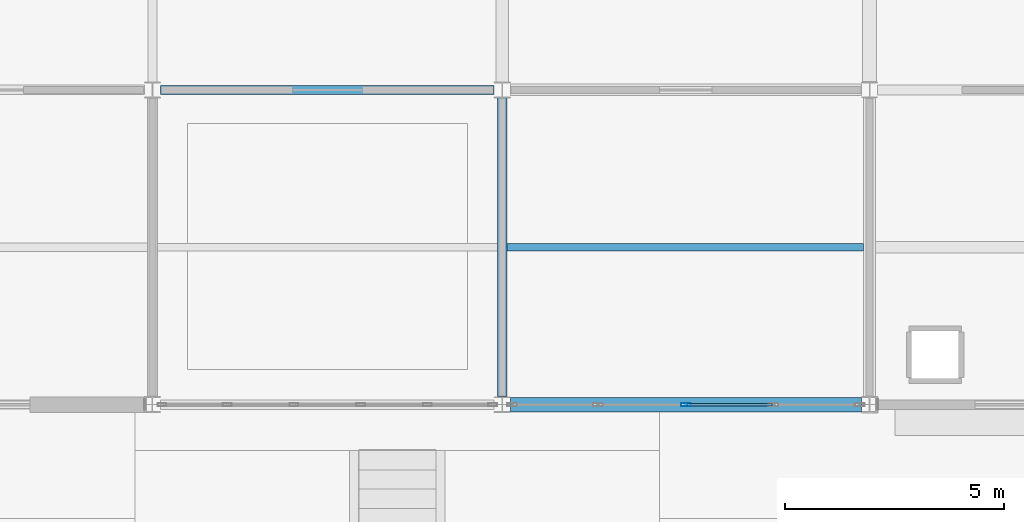
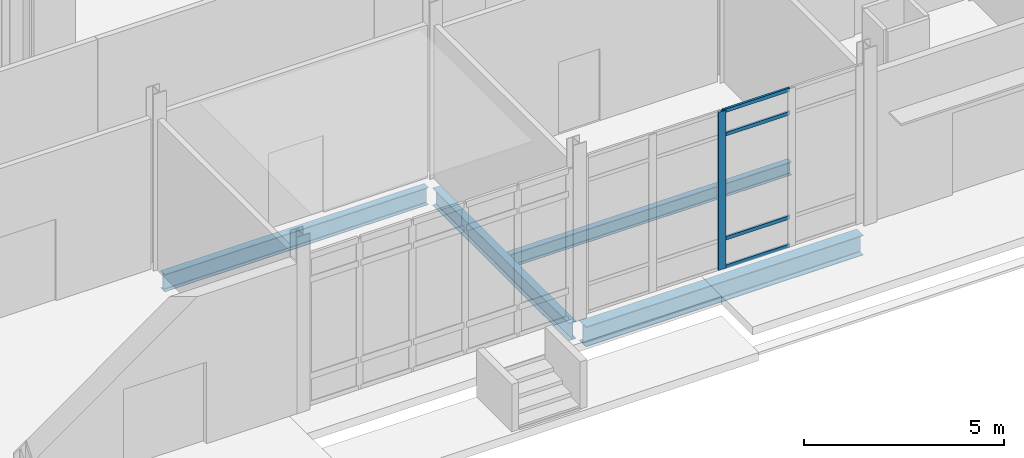
# One storey, part 46 of 229: 5 members, 4 beams, 1 element without a shape of its own.
"""IFC4 building model written with IfcOpenShell, lengths in metres."""

from ifc_helpers import new_model, si_unit, direction, frame, origin, origin_2d, place, context, subcontext, project, spatial, hollow_rectangle, i_section, extrude, material, layer, layer_set, material_profile, profile_set, type_object, element, aggregate, save


model = new_model("IFC4")

# Units and contexts
model_context = context("Model", 3, precision=1e-05, world=origin(), true_north=direction((0.0, 1.0)))
body_context = subcontext(model_context, "Body", "Model", "MODEL_VIEW")
ifc_project = project(units=[si_unit("LENGTHUNIT", "METRE"), si_unit("AREAUNIT", "SQUARE_METRE"), si_unit("VOLUMEUNIT", "CUBIC_METRE"), si_unit("PLANEANGLEUNIT", "RADIAN"), si_unit("MASSUNIT", "GRAM", prefix="KILO")], contexts=[model_context])

# Site, building, storey
site_placement = place(None, origin())
site = spatial("IfcSite", under=ifc_project, at=site_placement, CompositionType="ELEMENT")
building_placement = place(site_placement, origin())
building = spatial("IfcBuilding", under=site, at=building_placement, Name="Calvrana Isthmian Art Gallery", CompositionType="ELEMENT")
storey_placement = place(building_placement, origin())
storey = spatial("IfcBuildingStorey", under=building, at=storey_placement, Name="L00", CompositionType="ELEMENT", Elevation=0.0)

# Beams
ifc_material_1 = material(Name="Steel ASTM A992 Gr 50", Category="steel")
ifc_material_profile_1 = material_profile(ifc_material_1, i_section(OverallWidth=0.208984375, OverallDepth=0.532958984375, WebThickness=0.01025390625, FlangeThickness=0.015625, FilletRadius=0.02099609375, at=origin_2d()), Name="W21X62")
ifc_profile_set_1 = profile_set([ifc_material_profile_1], Name="Steel ASTM A992 Gr 50")
beam_type_1 = type_object("IfcBeamType", Name="BM-G-W21X62", PredefinedType="BEAM", material=ifc_profile_set_1)
beam_1_placement = place(storey_placement, frame((96.58544921875, 7.199951171875, -0.551513671875), z_axis=(1.0, 0.0, 0.0), x_axis=(0.0, 1.0, 0.0)))
element("IfcBeam", 1, at=beam_1_placement, inside=storey, type_object=beam_type_1, Name="Girder X L00 13-14/B", PredefinedType="BEAM", context=body_context, shape_type="SweptSolid", body=[
    extrude(i_section(OverallWidth=0.208984375, OverallDepth=0.532958984375, WebThickness=0.01025390625, FlangeThickness=0.015625, FilletRadius=0.02099609375, at=origin_2d()), origin(), (0.0, 0.0, 1.0), 7.630615234375),
])
beam_2_placement = place(storey_placement, frame((104.39990234375, 0.1865234375, -0.551513671875), z_axis=(0.0, 1.0, 0.0), x_axis=(-1.0, 0.0, 0.0)))
element("IfcBeam", 2, at=beam_2_placement, inside=storey, type_object=beam_type_1, Name="Girder Y L00 14/A-B", PredefinedType="BEAM", context=body_context, shape_type="SweptSolid", body=[
    extrude(i_section(OverallWidth=0.208984375, OverallDepth=0.532958984375, WebThickness=0.01025390625, FlangeThickness=0.015625, FilletRadius=0.02099609375, at=origin_2d()), origin(), (0.0, 0.0, 1.0), 6.83544921875),
])
ifc_material_profile_2 = material_profile(ifc_material_1, i_section(OverallWidth=0.324951171875, OverallDepth=0.612060546875, WebThickness=0.0126953125, FlangeThickness=0.01904296875, FilletRadius=0.02197265625, at=origin_2d()), Name="W24X104")
ifc_profile_set_2 = profile_set([ifc_material_profile_2], Name="Steel ASTM A992 Gr 50")
beam_type_2 = type_object("IfcBeamType", Name="BM-G-W24X104", PredefinedType="BEAM", material=ifc_profile_set_2)
beam_3_placement = place(storey_placement, frame((104.58642578125, 0.0, -0.591064453125), z_axis=(1.0, 0.0, 0.0), x_axis=(0.0, 1.0, 0.0)))
element("IfcBeam", 3, at=beam_3_placement, inside=storey, type_object=beam_type_2, Name="Girder X L00 14-15/A", PredefinedType="BEAM", context=body_context, shape_type="SweptSolid", body=[
    extrude(i_section(OverallWidth=0.324951171875, OverallDepth=0.612060546875, WebThickness=0.0126953125, FlangeThickness=0.01904296875, FilletRadius=0.02197265625, at=origin_2d()), origin(), (0.0, 0.0, 1.0), 8.027099609375),
])
ifc_material_profile_3 = material_profile(ifc_material_1, i_section(OverallWidth=0.177978515625, OverallDepth=0.404052734375, WebThickness=0.007568359375, FlangeThickness=0.010986328125, FilletRadius=0.01806640625, at=origin_2d()), Name="W16X36")
ifc_profile_set_3 = profile_set([ifc_material_profile_3], Name="Steel ASTM A992 Gr 50")
beam_type_3 = type_object("IfcBeamType", Name="BM-J-W16X36", PredefinedType="JOIST", material=ifc_profile_set_3)
beam_4_placement = place(storey_placement, frame((104.50439453125, 3.60009765625, -0.487060546875), z_axis=(1.0, 0.0, 0.0), x_axis=(0.0, 1.0, 0.0)))
element("IfcBeam", 4, at=beam_4_placement, inside=storey, type_object=beam_type_3, Name="Composite joist L00 bay 13-00", PredefinedType="JOIST", context=body_context, shape_type="SweptSolid", body=[
    extrude(i_section(OverallWidth=0.177978515625, OverallDepth=0.404052734375, WebThickness=0.007568359375, FlangeThickness=0.010986328125, FilletRadius=0.01806640625, at=origin_2d()), origin(), (0.0, 0.0, 1.0), 8.156005859375),
])

# Curtain wall, members
ifc_material_2 = material(Name="Anodized bronze aluminium 6063-T6", Category="aluminium")
ifc_layer = layer(ifc_material_2, 0.179931640625, Name="Anodized bronze aluminium 6063-T6")
ifc_layer_set = layer_set([ifc_layer], Name="Anodized bronze aluminium 6063-T6")
curtain_wall_type = type_object("IfcCurtainWallType", Name="CW-UNIT-080X48", PredefinedType="USERDEFINED", material=ifc_layer_set)
curtain_wall_placement = place(storey_placement, origin())
curtain_wall = element("IfcCurtainWall", 5, at=curtain_wall_placement, inside=storey, type_object=curtain_wall_type, Name="Curtain wall CW-010", ObjectType="UNITISED CURTAIN WALL", PredefinedType="USERDEFINED")
ifc_material_profile_4 = material_profile(ifc_material_2, hollow_rectangle(XDim=0.074951171875, YDim=0.219970703125, WallThickness=0.0048828125, at=origin_2d()), Name="CWM75X220")
ifc_profile_set_4 = profile_set([ifc_material_profile_4], Name="Anodized bronze aluminium 6063-T6")
member_type_1 = type_object("IfcMemberType", Name="CWM-CWM75X220", PredefinedType="MULLION", material=ifc_profile_set_4)
member_1_placement = place(storey_placement, frame((108.5986328125, 0.0, 0.0), z_axis=(0.0, 0.0, 1.0), x_axis=(0.0, -1.0, 0.0)))
member_1 = element("IfcMember", 6, at=member_1_placement, type_object=member_type_1, Name="CW-010 mullion 3", PredefinedType="MULLION", context=body_context, shape_type="SweptSolid", body=[
    extrude(hollow_rectangle(XDim=0.074951171875, YDim=0.219970703125, WallThickness=0.0048828125, at=origin_2d()), origin(), (0.0, 0.0, 1.0), 4.835205078125),
])
ifc_material_profile_5 = material_profile(ifc_material_2, hollow_rectangle(XDim=0.06005859375, YDim=0.110107421875, WallThickness=0.00341796875, at=origin_2d()), Name="CWT60X110")
ifc_profile_set_5 = profile_set([ifc_material_profile_5], Name="Anodized bronze aluminium 6063-T6")
member_type_2 = type_object("IfcMemberType", Name="CWT-CWT60X110", PredefinedType="USERDEFINED", material=ifc_profile_set_5)
member_2_placement = place(storey_placement, frame((110.568603515625, 0.0, 0.030029296875), z_axis=(-1.0, 0.0, 0.0), x_axis=(0.0, -1.0, 0.0)))
member_2 = element("IfcMember", 7, at=member_2_placement, type_object=member_type_2, Name="CW-010 transom 2.1", ObjectType="TRANSOM", PredefinedType="USERDEFINED", context=body_context, shape_type="SweptSolid", body=[
    extrude(hollow_rectangle(XDim=0.06005859375, YDim=0.110107421875, WallThickness=0.00341796875, at=origin_2d()), origin(), (0.0, 0.0, 1.0), 1.932373046875),
])
member_3_placement = place(storey_placement, frame((110.568603515625, 0.0, 0.89990234375), z_axis=(-1.0, 0.0, 0.0), x_axis=(0.0, -1.0, 0.0)))
member_3 = element("IfcMember", 8, at=member_3_placement, type_object=member_type_2, Name="CW-010 transom 2.2", ObjectType="TRANSOM", PredefinedType="USERDEFINED", context=body_context, shape_type="SweptSolid", body=[
    extrude(hollow_rectangle(XDim=0.06005859375, YDim=0.110107421875, WallThickness=0.00341796875, at=origin_2d()), origin(), (0.0, 0.0, 1.0), 1.932373046875),
])
member_4_placement = place(storey_placement, frame((110.568603515625, 0.0, 4.085205078125), z_axis=(-1.0, 0.0, 0.0), x_axis=(0.0, -1.0, 0.0)))
member_4 = element("IfcMember", 9, at=member_4_placement, type_object=member_type_2, Name="CW-010 transom 2.3", ObjectType="TRANSOM", PredefinedType="USERDEFINED", context=body_context, shape_type="SweptSolid", body=[
    extrude(hollow_rectangle(XDim=0.06005859375, YDim=0.110107421875, WallThickness=0.00341796875, at=origin_2d()), origin(), (0.0, 0.0, 1.0), 1.932373046875),
])
member_5_placement = place(storey_placement, frame((110.568603515625, 0.0, 4.80517578125), z_axis=(-1.0, 0.0, 0.0), x_axis=(0.0, -1.0, 0.0)))
member_5 = element("IfcMember", 10, at=member_5_placement, type_object=member_type_2, Name="CW-010 transom 2.4", ObjectType="TRANSOM", PredefinedType="USERDEFINED", context=body_context, shape_type="SweptSolid", body=[
    extrude(hollow_rectangle(XDim=0.06005859375, YDim=0.110107421875, WallThickness=0.00341796875, at=origin_2d()), origin(), (0.0, 0.0, 1.0), 1.932373046875),
])
aggregate(curtain_wall, [member_1, member_2, member_3, member_4, member_5])

save(model, "model.ifc")
